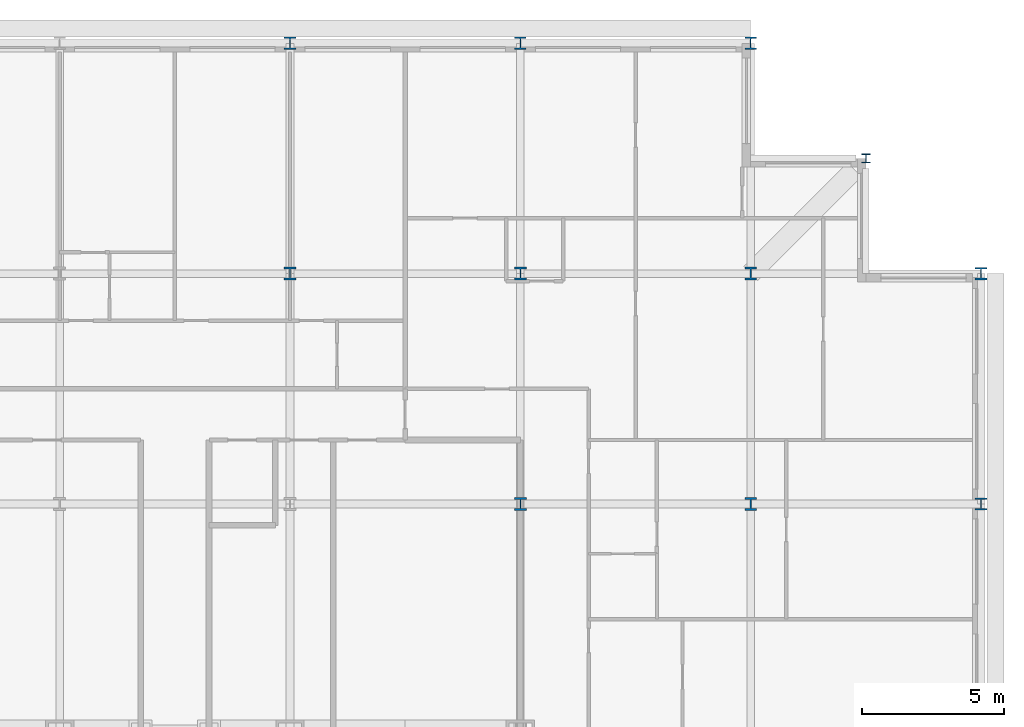
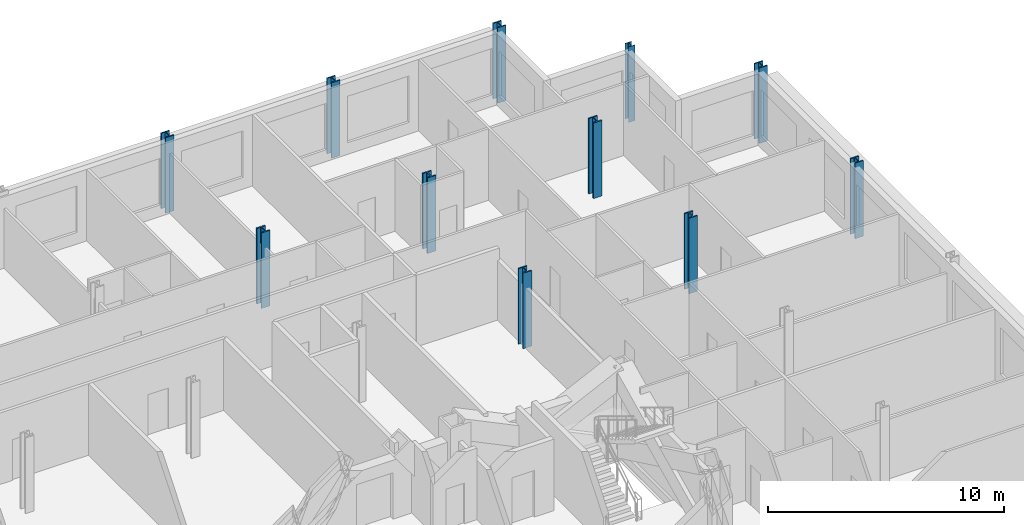
# One storey, part 4 of 15: 11 columns.
"""IFC4 building model written with IfcOpenShell, lengths in metres."""

from ifc_helpers import new_model, si_unit, direction, frame, origin, origin_2d, place, context, subcontext, project, spatial, i_section, extrude, material, material_profile, profile_set, type_object, element, save


model = new_model("IFC4")

# Units and contexts
model_context = context("Model", 3, precision=1e-05, world=origin(), true_north=direction((0.0, 1.0)))
body_context = subcontext(model_context, "Body", "Model", "MODEL_VIEW")
ifc_project = project(units=[si_unit("LENGTHUNIT", "METRE"), si_unit("AREAUNIT", "SQUARE_METRE"), si_unit("VOLUMEUNIT", "CUBIC_METRE"), si_unit("PLANEANGLEUNIT", "RADIAN"), si_unit("MASSUNIT", "GRAM", prefix="KILO")], contexts=[model_context])

# Site, building, storey
site_placement = place(None, origin())
site = spatial("IfcSite", under=ifc_project, at=site_placement, CompositionType="ELEMENT")
building_placement = place(site_placement, origin())
building = spatial("IfcBuilding", under=site, at=building_placement, Name="Kopane Lantern Tower", CompositionType="ELEMENT")
storey_placement = place(building_placement, frame((0.0, 0.0, 246.300048828125)))
storey = spatial("IfcBuildingStorey", under=building, at=storey_placement, Name="L63", CompositionType="ELEMENT", Elevation=246.300048828125)

# Columns
ifc_material_1 = material(Name="Steel S355JR", Category="steel")
ifc_material_profile_1 = material_profile(ifc_material_1, i_section(OverallWidth=0.307373046875, OverallDepth=0.314453125, WebThickness=0.011962890625, FlangeThickness=0.018798828125, FilletRadius=0.01513671875, at=origin_2d()), Name="UC 305x305x118")
ifc_profile_set_1 = profile_set([ifc_material_profile_1], Name="Steel S355JR")
column_type_1 = type_object("IfcColumnType", Name="COLUMN UC 305x305x118", PredefinedType="COLUMN", material=ifc_profile_set_1)
column_placement = place(storey_placement, frame((52.64990234375, 60.75, 0.0), z_axis=(0.0, 0.0, 1.0), x_axis=(1.0, 0.0, 0.0)))
element("IfcColumn", 1, at=column_placement, inside=storey, type_object=column_type_1, Name="Column 52.65/60.75 L63", PredefinedType="COLUMN", context=body_context, shape_type="SweptSolid", body=[
    extrude(i_section(OverallWidth=0.307373046875, OverallDepth=0.314453125, WebThickness=0.011962890625, FlangeThickness=0.018798828125, FilletRadius=0.01513671875, at=origin_2d()), origin(), (0.0, 0.0, 1.0), 3.89990234375),
])
ifc_material_2 = material(Name="Steel S355JR", Category="steel")
ifc_material_profile_2 = material_profile(ifc_material_2, i_section(OverallWidth=0.412109375, OverallDepth=0.4365234375, WebThickness=0.035888671875, FlangeThickness=0.05810546875, FilletRadius=0.01513671875, at=origin_2d()), Name="UC 356x406x467")
ifc_profile_set_2 = profile_set([ifc_material_profile_2], Name="Steel S355JR")
column_type_2 = type_object("IfcColumnType", Name="COLUMN UC 356x406x467", PredefinedType="COLUMN", material=ifc_profile_set_2)
for number, where, z_axis, x_axis, name in (
    (2, (32.39990234375, 64.800048828125, 0.0), (0.0, 0.0, 1.0), (1.0, 0.0, 0.0), "Column 6/K L63"),
    (3, (40.5, 64.800048828125, 0.0), (0.0, 0.0, 1.0), (1.0, 0.0, 0.0), "Column 7/K L63"),
    (4, (48.60009765625, 64.800048828125, 0.0), (0.0, 0.0, 1.0), (1.0, 0.0, 0.0), "Column 8/K L63"),
    (5, (56.699951171875, 48.60009765625, 0.0), (0.0, 0.0, 1.0), (1.0, 0.0, 0.0), "Column 9/H L63"),
    (6, (56.699951171875, 56.699951171875, 0.0), (0.0, 0.0, 1.0), (1.0, 0.0, 0.0), "Column 9/J L63"),
):
    element("IfcColumn", number, at=place(storey_placement, frame(where, z_axis=z_axis, x_axis=x_axis)), inside=storey, type_object=column_type_2, Name=name, PredefinedType="COLUMN", context=body_context, shape_type="SweptSolid", body=[
        extrude(i_section(OverallWidth=0.412109375, OverallDepth=0.4365234375, WebThickness=0.035888671875, FlangeThickness=0.05810546875, FilletRadius=0.01513671875, at=origin_2d()), origin(), (0.0, 0.0, 1.0), 3.89990234375),
    ])
ifc_material_3 = material(Name="Steel S355JR", Category="steel")
ifc_material_profile_3 = material_profile(ifc_material_3, i_section(OverallWidth=0.41845703125, OverallDepth=0.45556640625, WebThickness=0.0419921875, FlangeThickness=0.0673828125, FilletRadius=0.01513671875, at=origin_2d()), Name="UC 356x406x551")
ifc_profile_set_3 = profile_set([ifc_material_profile_3], Name="Steel S355JR")
column_type_3 = type_object("IfcColumnType", Name="COLUMN UC 356x406x551", PredefinedType="COLUMN", material=ifc_profile_set_3)
for number, where, z_axis, x_axis, name in (
    (7, (32.39990234375, 56.699951171875, 0.0), (0.0, 0.0, 1.0), (1.0, 0.0, 0.0), "Column 6/J L63"),
    (8, (40.5, 48.60009765625, 0.0), (0.0, 0.0, 1.0), (1.0, 0.0, 0.0), "Column 7/H L63"),
    (9, (40.5, 56.699951171875, 0.0), (0.0, 0.0, 1.0), (1.0, 0.0, 0.0), "Column 7/J L63"),
    (10, (48.60009765625, 48.60009765625, 0.0), (0.0, 0.0, 1.0), (1.0, 0.0, 0.0), "Column 8/H L63"),
    (11, (48.60009765625, 56.699951171875, 0.0), (0.0, 0.0, 1.0), (1.0, 0.0, 0.0), "Column 8/J L63"),
):
    element("IfcColumn", number, at=place(storey_placement, frame(where, z_axis=z_axis, x_axis=x_axis)), inside=storey, type_object=column_type_3, Name=name, PredefinedType="COLUMN", context=body_context, shape_type="SweptSolid", body=[
        extrude(i_section(OverallWidth=0.41845703125, OverallDepth=0.45556640625, WebThickness=0.0419921875, FlangeThickness=0.0673828125, FilletRadius=0.01513671875, at=origin_2d()), origin(), (0.0, 0.0, 1.0), 3.89990234375),
    ])

save(model, "model.ifc")
